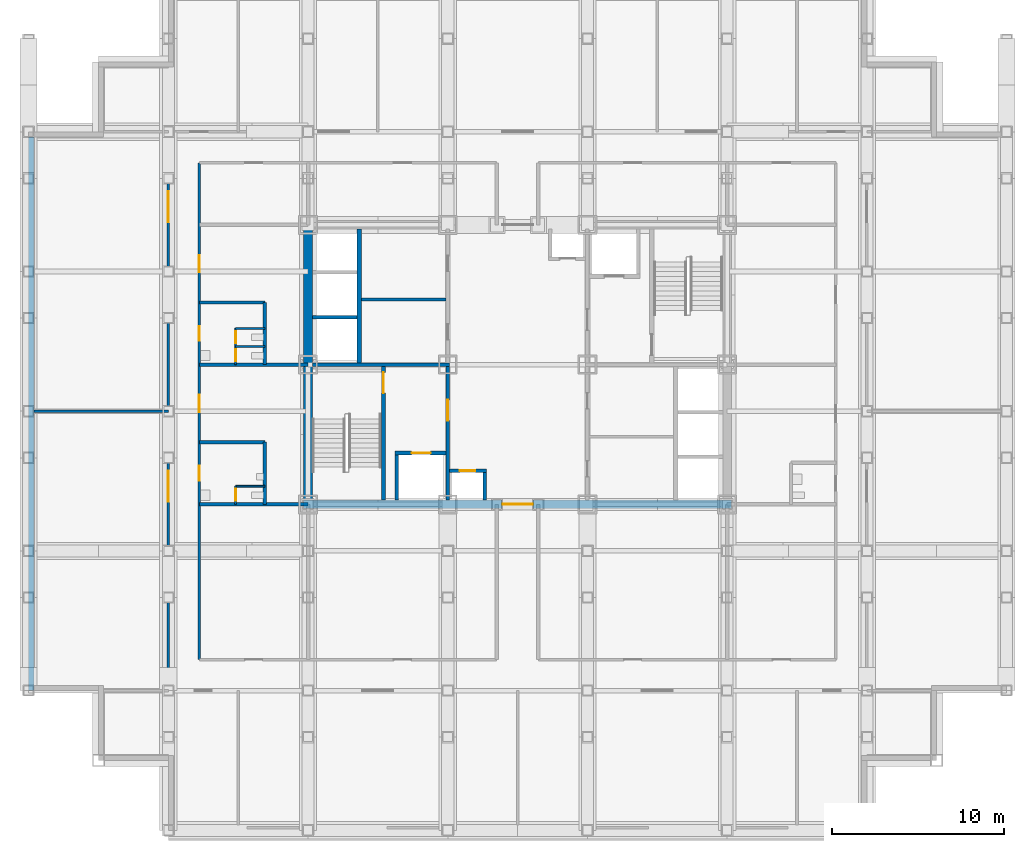
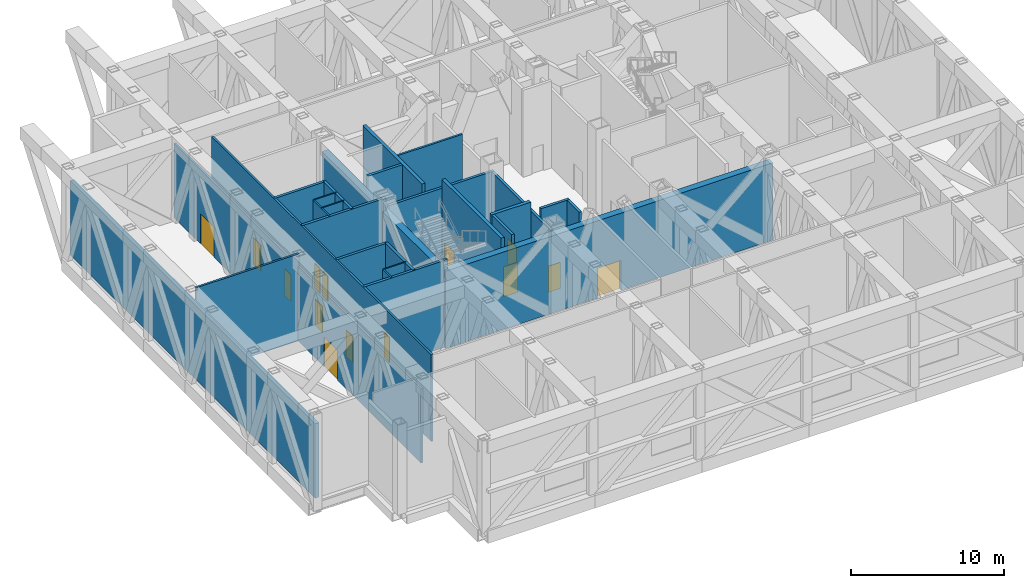
# One storey, part 8 of 13: 27 walls, 14 doors, 14 openings.
"""IFC4 building model written with IfcOpenShell, lengths in metres."""

import ifcopenshell
import ifcopenshell.guid

model = None  # the IFC model being written
_history = None  # IfcOwnerHistory: only IFC2X3 demands one
_inside = {}  # id of a spatial element -> (the spatial element, [elements in it])
_under = {}  # id of a project, library or spatial element -> (it, [spatial elements below it])
_declared = {}  # id of a project -> (the project, [libraries it declares])
_typed = {}  # id of a type object -> (the type object, [elements of that type])
_made_of = {}  # id of a material, layer set ... -> (it, [elements and type objects made of it])


def new_model(schema):
    """Start an empty IFC model of exactly this schema.

    Asked for "IFC4X3", IfcOpenShell would pick the latest addendum, in which some entities
    have other attributes; the version numbers below select the first issue.
    IFC2X3 requires an IfcOwnerHistory on every rooted entity: one is made here for all.
    """
    global model, _history
    if schema == "IFC4X3":
        model = ifcopenshell.file(schema_version=(4, 3, 0, 0))
    else:
        model = ifcopenshell.file(schema=schema)
    _inside.clear()
    _under.clear()
    _declared.clear()
    _typed.clear()
    _made_of.clear()
    _history = None
    if model.schema == "IFC2X3":
        org = make("IfcOrganization", Name="unknown")
        user = make(
            "IfcPersonAndOrganization",
            ThePerson=make("IfcPerson", FamilyName="unknown"),
            TheOrganization=org,
        )
        app = make(
            "IfcApplication",
            ApplicationDeveloper=org,
            Version="unknown",
            ApplicationFullName="unknown",
            ApplicationIdentifier="unknown",
        )
        _history = make(
            "IfcOwnerHistory",
            OwningUser=user,
            OwningApplication=app,
            ChangeAction="ADDED",
            CreationDate=0,
        )
    return model


def make(cls, **values):
    """One entity of the class cls with the attributes given. An attribute that is None is left unset."""
    return model.create_entity(
        cls, **{name: value for name, value in values.items() if value is not None}
    )


def rooted(cls, **values):
    """An entity with a GlobalId (a new one), such as an element, a storey or a relation."""
    return make(cls, GlobalId=ifcopenshell.guid.new(), OwnerHistory=_history, **values)


def si_unit(unit_type, name, prefix=None):
    """IfcSIUnit, for example si_unit("LENGTHUNIT", "METRE", prefix="MILLI")."""
    return make("IfcSIUnit", UnitType=unit_type, Prefix=prefix, Name=name)


def assignment(units):
    """IfcUnitAssignment: the units of a project."""
    return None if units is None else make("IfcUnitAssignment", Units=units)


def point(xyz):
    """IfcCartesianPoint."""
    return None if xyz is None else make("IfcCartesianPoint", Coordinates=xyz)


def direction(xyz):
    """IfcDirection."""
    return None if xyz is None else make("IfcDirection", DirectionRatios=xyz)


def frame(location, z_axis=None, x_axis=None):
    """IfcAxis2Placement3D, a coordinate frame: its origin and axes. An axis left out is left unset."""
    return make(
        "IfcAxis2Placement3D",
        Location=point(location),
        Axis=direction(z_axis),
        RefDirection=direction(x_axis),
    )


def frame_2d(location, x_axis=None):
    """IfcAxis2Placement2D, a coordinate frame in the plane: its origin and x axis."""
    return make(
        "IfcAxis2Placement2D", Location=point(location), RefDirection=direction(x_axis)
    )


def origin():
    """The frame at (0, 0, 0) with its axes left unset."""
    return frame((0.0, 0.0, 0.0))


def place(relative_to, where):
    """IfcLocalPlacement: puts the frame where relative to a parent placement (None: the world)."""
    return make(
        "IfcLocalPlacement", PlacementRelTo=relative_to, RelativePlacement=where
    )


def context(
    kind, dimensions, precision=None, world=None, true_north=None, identifier=None
):
    """IfcGeometricRepresentationContext, for example the 3D "Model" context."""
    return make(
        "IfcGeometricRepresentationContext",
        ContextIdentifier=identifier,
        ContextType=kind,
        CoordinateSpaceDimension=dimensions,
        Precision=precision,
        WorldCoordinateSystem=world,
        TrueNorth=true_north,
    )


def subcontext(parent, identifier, kind, view, scale=None):
    """IfcGeometricRepresentationSubContext, for example "Body" below "Model"."""
    return make(
        "IfcGeometricRepresentationSubContext",
        ContextIdentifier=identifier,
        ContextType=kind,
        ParentContext=parent,
        TargetScale=scale,
        TargetView=view,
    )


def project(units=None, contexts=None):
    """IfcProject with its units and contexts."""
    return rooted(
        "IfcProject",
        Name="project",
        RepresentationContexts=contexts,
        UnitsInContext=assignment(units),
    )


def spatial(cls, under=None, at=None, **own):
    """A site, building, storey or space (cls), placed at a placement, below another one or the project."""
    s = rooted(cls, ObjectPlacement=at, **own)
    if under is not None:
        _under.setdefault(under.id(), (under, []))[1].append(s)
    return s


def profile(cls, at=None, kind="AREA", **sizes):
    """A parametric profile (cls). Its sizes go by their IFC names, for example OverallWidth=200.0."""
    return make(cls, ProfileType=kind, Position=at, **sizes)


def rectangle(**sizes):
    """IfcRectangleProfileDef."""
    return profile("IfcRectangleProfileDef", **sizes)


def extrude(swept, where, along, depth):
    """IfcExtrudedAreaSolid: the profile swept, set in the frame where, extruded along a direction by depth."""
    return make(
        "IfcExtrudedAreaSolid",
        SweptArea=swept,
        Position=where,
        ExtrudedDirection=direction(along),
        Depth=depth,
    )


def shape(context_of_items, identifier, shape_type, items):
    """IfcShapeRepresentation: the items that make up one representation, for example the "Body"."""
    return make(
        "IfcShapeRepresentation",
        ContextOfItems=context_of_items,
        RepresentationIdentifier=identifier,
        RepresentationType=shape_type,
        Items=items,
    )


def material(Name=None, Category=None):
    """IfcMaterial."""
    return make("IfcMaterial", Name=Name, Category=Category)


def layer(
    of_material, thickness, ventilated=None, Name=None, Category=None, Priority=None
):
    """IfcMaterialLayer: one layer of a wall or slab, of a material (None: an air gap)."""
    return make(
        "IfcMaterialLayer",
        Material=of_material,
        LayerThickness=thickness,
        IsVentilated=ventilated,
        Name=Name,
        Category=Category,
        Priority=Priority,
    )


def layer_set(layers, Name=None):
    """IfcMaterialLayerSet."""
    return make("IfcMaterialLayerSet", MaterialLayers=layers, LayerSetName=Name)


def made_of(thing, what):
    """Note that an element or type object is made of a material, layer set ...; save() writes the relation."""
    if what is not None:
        _made_of.setdefault(what.id(), (what, []))[1].append(thing)
    return thing


def type_object(cls, material=None, **own):
    """A type object (cls), such as IfcWallType, which elements share."""
    return made_of(rooted(cls, **own), material)


def element(
    cls,
    number,
    at=None,
    inside=None,
    cuts=None,
    type_object=None,
    material=None,
    context=None,
    identifier="Body",
    shape_type=None,
    held_by="IfcProductDefinitionShape",
    body=None,
    shapes=None,
    **own,
):
    """One element of the class cls, such as IfcWall. Its Tag is "e" and its number.

    at: its placement. inside: the storey or other place that contains it. cuts: it is an
    opening in that element (IfcRelVoidsElement). A single representation is given by context,
    identifier, shape_type and body (its items); several are given by shapes. held_by: the class
    of the entity that holds the representations. save() writes the other relations.
    """
    e = rooted(cls, Tag="e%d" % number, ObjectPlacement=at, **own)
    if body is not None:
        shapes = [shape(context, identifier, shape_type, body)]
    if shapes is not None:
        e.Representation = make(held_by, Representations=shapes)
    if inside is not None:
        _inside.setdefault(inside.id(), (inside, []))[1].append(e)
    if cuts is not None:
        rooted(
            "IfcRelVoidsElement", RelatingBuildingElement=cuts, RelatedOpeningElement=e
        )
    if type_object is not None:
        _typed.setdefault(type_object.id(), (type_object, []))[1].append(e)
    return made_of(e, material)


def fill(opening, filler):
    """IfcRelFillsElement: the door or window that sits in an opening."""
    return rooted(
        "IfcRelFillsElement",
        RelatingOpeningElement=opening,
        RelatedBuildingElement=filler,
    )


def aggregate(whole, parts):
    """IfcRelAggregates: a whole, such as a stair, and the parts it consists of."""
    return rooted("IfcRelAggregates", RelatingObject=whole, RelatedObjects=parts)


def save(model, path):
    """Write the relations noted so far, then the file.

    IfcRelAggregates (storeys below a building ...), IfcRelContainedInSpatialStructure (elements
    in a storey), IfcRelDefinesByType, IfcRelAssociatesMaterial and IfcRelDeclares: one each for
    every whole, place, type object, material and project.
    """
    for whole, parts in _under.values():
        aggregate(whole, parts)
    for where, things in _inside.values():
        rooted(
            "IfcRelContainedInSpatialStructure",
            RelatedElements=things,
            RelatingStructure=where,
        )
    for kind, things in _typed.values():
        rooted("IfcRelDefinesByType", RelatedObjects=things, RelatingType=kind)
    for what, things in _made_of.values():
        rooted("IfcRelAssociatesMaterial", RelatedObjects=things, RelatingMaterial=what)
    for by, libraries in _declared.values():
        rooted("IfcRelDeclares", RelatingContext=by, RelatedDefinitions=libraries)
    model.write(path)


model = new_model("IFC4")

# Units and contexts
model_context = context("Model", 3, precision=1e-05, world=origin(), true_north=direction((0.0, 1.0)))
body_context = subcontext(model_context, "Body", "Model", "MODEL_VIEW")
ifc_project = project(units=[si_unit("LENGTHUNIT", "METRE"), si_unit("AREAUNIT", "SQUARE_METRE"), si_unit("VOLUMEUNIT", "CUBIC_METRE"), si_unit("PLANEANGLEUNIT", "RADIAN"), si_unit("MASSUNIT", "GRAM", prefix="KILO")], contexts=[model_context])

# Site, building, storey
site_placement = place(None, origin())
site = spatial("IfcSite", under=ifc_project, at=site_placement, CompositionType="ELEMENT")
building_placement = place(site_placement, origin())
building = spatial("IfcBuilding", under=site, at=building_placement, Name="Kopane Lantern Tower", CompositionType="ELEMENT")
storey_placement = place(building_placement, frame((0.0, 0.0, 157.800048828125)))
storey = spatial("IfcBuildingStorey", under=building, at=storey_placement, Name="L41", CompositionType="ELEMENT", Elevation=157.800048828125)

# Wall, opening, door
ifc_material_1 = material(Name="Moisture-resistant board on steel studs", Category="steel")
ifc_layer_1 = layer(ifc_material_1, 0.10009765625)
ifc_layer_set_1 = layer_set([ifc_layer_1], Name="BATHROOM WALL 100")
wall_type_1 = type_object("IfcWallType", Name="BATHROOM WALL 100", PredefinedType="PARTITIONING", material=ifc_layer_set_1)
wall_1_placement = place(storey_placement, frame((12.0, 24.300048828125, 0.0), z_axis=(0.0, 0.0, 1.0), x_axis=(0.0, 1.0, 0.0)))
wall_1 = element("IfcWall", 1, at=wall_1_placement, inside=storey, type_object=wall_type_1, Name="Bathroom Wall 100 L41", PredefinedType="PARTITIONING", context=body_context, shape_type="SweptSolid", body=[
    extrude(rectangle(XDim=1.050048828125, YDim=0.10009765625, at=frame_2d((0.52490234375, 0.0))), origin(), (0.0, 0.0, 1.0), 6.949951171875),
])
opening_1_placement = place(wall_1_placement, frame((0.199951171875, 0.0, 0.0)))
opening_1 = element("IfcOpeningElement", 2, at=opening_1_placement, cuts=wall_1, Name="Opening L41-029", PredefinedType="OPENING", context=body_context, shape_type="SweptSolid", body=[
    extrude(rectangle(XDim=0.699951171875, YDim=2.0, at=frame_2d((0.35009765625, 1.0))), frame((0.0, 0.06005859375, 0.0), z_axis=(0.0, -1.0, 0.0), x_axis=(1.0, 0.0, 0.0)), (0.0, 0.0, 1.0), 0.1201171875),
])
ifc_material_2 = material(Name="Timber door set", Category="wood")
door_type_1 = type_object("IfcDoorType", Name="DOOR D13 700x2000 WC CUBICLE", OperationType="SINGLE_SWING_LEFT", PredefinedType="DOOR", material=ifc_material_2)
door_1_placement = place(opening_1_placement, origin())
door_1 = element("IfcDoor", 3, at=door_1_placement, inside=storey, type_object=door_type_1, Name="Door L41-029", OperationType="SINGLE_SWING_LEFT", OverallHeight=2.0, OverallWidth=0.699951171875, PredefinedType="DOOR", context=body_context, shape_type="SweptSolid", body=[
    extrude(rectangle(XDim=0.699951171875, YDim=2.0, at=frame_2d((0.35009765625, 1.0))), frame((0.0, 0.02490234375, 0.0), z_axis=(0.0, -1.0, 0.0), x_axis=(1.0, 0.0, 0.0)), (0.0, 0.0, 1.0), 0.050048828125),
])
fill(opening_1, door_1)

# Wall
wall_2_placement = place(storey_placement, frame((12.0, 25.35009765625, 0.0), z_axis=(0.0, 0.0, 1.0), x_axis=(1.0, 0.0, 0.0)))
element("IfcWall", 4, at=wall_2_placement, inside=storey, type_object=wall_type_1, Name="Bathroom Wall 100 L41", PredefinedType="PARTITIONING", context=body_context, shape_type="SweptSolid", body=[
    extrude(rectangle(XDim=1.699951171875, YDim=0.10009765625, at=frame_2d((0.85009765625, 0.0))), origin(), (0.0, 0.0, 1.0), 6.949951171875),
])

# Wall, openings, doors
wall_3_placement = place(storey_placement, frame((12.0, 32.39990234375, 0.0), z_axis=(0.0, 0.0, 1.0), x_axis=(0.0, 1.0, 0.0)))
wall_3 = element("IfcWall", 5, at=wall_3_placement, inside=storey, type_object=wall_type_1, Name="Bathroom Wall 100 L41", PredefinedType="PARTITIONING", context=body_context, shape_type="SweptSolid", body=[
    extrude(rectangle(XDim=2.10009765625, YDim=0.10009765625, at=frame_2d((1.050048828125, 0.0))), origin(), (0.0, 0.0, 1.0), 6.949951171875),
])
opening_2_placement = place(wall_3_placement, frame((0.199951171875, 0.0, 0.0)))
opening_2 = element("IfcOpeningElement", 6, at=opening_2_placement, cuts=wall_3, Name="Opening L41-030", PredefinedType="OPENING", context=body_context, shape_type="SweptSolid", body=[
    extrude(rectangle(XDim=0.699951171875, YDim=2.0, at=frame_2d((0.35009765625, 1.0))), frame((0.0, 0.06005859375, 0.0), z_axis=(0.0, -1.0, 0.0), x_axis=(1.0, 0.0, 0.0)), (0.0, 0.0, 1.0), 0.1201171875),
])
opening_3_placement = place(wall_3_placement, frame((1.22509765625, 0.0, 0.0)))
opening_3 = element("IfcOpeningElement", 7, at=opening_3_placement, cuts=wall_3, Name="Opening L41-031", PredefinedType="OPENING", context=body_context, shape_type="SweptSolid", body=[
    extrude(rectangle(XDim=0.699951171875, YDim=2.0, at=frame_2d((0.35009765625, 1.0))), frame((0.0, 0.06005859375, 0.0), z_axis=(0.0, -1.0, 0.0), x_axis=(1.0, 0.0, 0.0)), (0.0, 0.0, 1.0), 0.1201171875),
])
door_2_placement = place(opening_2_placement, origin())
door_2 = element("IfcDoor", 8, at=door_2_placement, inside=storey, type_object=door_type_1, Name="Door L41-030", OperationType="SINGLE_SWING_LEFT", OverallHeight=2.0, OverallWidth=0.699951171875, PredefinedType="DOOR", context=body_context, shape_type="SweptSolid", body=[
    extrude(rectangle(XDim=0.699951171875, YDim=2.0, at=frame_2d((0.35009765625, 1.0))), frame((0.0, 0.02490234375, 0.0), z_axis=(0.0, -1.0, 0.0), x_axis=(1.0, 0.0, 0.0)), (0.0, 0.0, 1.0), 0.050048828125),
])
fill(opening_2, door_2)
door_3_placement = place(opening_3_placement, origin())
door_3 = element("IfcDoor", 9, at=door_3_placement, inside=storey, type_object=door_type_1, Name="Door L41-031", OperationType="SINGLE_SWING_RIGHT", OverallHeight=2.0, OverallWidth=0.699951171875, PredefinedType="DOOR", context=body_context, shape_type="SweptSolid", body=[
    extrude(rectangle(XDim=0.699951171875, YDim=2.0, at=frame_2d((0.35009765625, 1.0))), frame((0.0, 0.02490234375, 0.0), z_axis=(0.0, -1.0, 0.0), x_axis=(1.0, 0.0, 0.0)), (0.0, 0.0, 1.0), 0.050048828125),
])
fill(opening_3, door_3)

# Walls
for number, where, z_axis, x_axis, name in (
    (10, (12.0, 33.449951171875, 0.0), (0.0, 0.0, 1.0), (1.0, 0.0, 0.0), "Bathroom Wall 100 L41"),
    (11, (12.0, 34.5, 0.0), (0.0, 0.0, 1.0), (1.0, 0.0, 0.0), "Bathroom Wall 100 L41"),
):
    element("IfcWall", number, at=place(storey_placement, frame(where, z_axis=z_axis, x_axis=x_axis)), inside=storey, type_object=wall_type_1, Name=name, PredefinedType="PARTITIONING", context=body_context, shape_type="SweptSolid", body=[
        extrude(rectangle(XDim=1.699951171875, YDim=0.10009765625, at=frame_2d((0.85009765625, 0.0))), origin(), (0.0, 0.0, 1.0), 6.949951171875),
    ])

# Wall, opening, door
ifc_material_3 = material(Name="Gypsum shaft wall EI 120", Category="gypsum")
ifc_layer_2 = layer(ifc_material_3, 0.5)
ifc_layer_set_2 = layer_set([ifc_layer_2], Name="CORE PERIMETER WALL 500 EI 120")
wall_type_2 = type_object("IfcWallType", Name="CORE PERIMETER WALL 500 EI 120", PredefinedType="SOLIDWALL", material=ifc_layer_set_2)
wall_4_placement = place(storey_placement, frame((15.949951171875, 24.300048828125, 0.0), z_axis=(0.0, 0.0, 1.0), x_axis=(1.0, 0.0, 0.0)))
wall_4 = element("IfcWall", 12, at=wall_4_placement, inside=storey, type_object=wall_type_2, Name="Core shaft wall L41 PS", PredefinedType="SOLIDWALL", context=body_context, shape_type="SweptSolid", body=[
    extrude(rectangle(XDim=24.800048828125, YDim=0.5, at=frame_2d((12.39990234375, 0.0))), origin(), (0.0, 0.0, 1.0), 6.18017578125),
])
opening_4_placement = place(wall_4_placement, frame((11.5, 0.0, 0.0)))
opening_4 = element("IfcOpeningElement", 13, at=opening_4_placement, cuts=wall_4, Name="Opening 41.CE-S", PredefinedType="OPENING", context=body_context, shape_type="SweptSolid", body=[
    extrude(rectangle(XDim=1.800048828125, YDim=2.39990234375, at=frame_2d((0.89990234375, 1.199951171875))), frame((0.0, 0.260009765625, 0.0), z_axis=(0.0, -1.0, 0.0), x_axis=(1.0, 0.0, 0.0)), (0.0, 0.0, 1.0), 0.52001953125),
])
ifc_material_4 = material(Name="Steel door set", Category="steel")
door_type_2 = type_object("IfcDoorType", Name="CORE ENTRY DOOR 1800x2400 FD60S", OperationType="DOUBLE_DOOR_SINGLE_SWING", PredefinedType="DOOR", material=ifc_material_4)
door_4_placement = place(opening_4_placement, origin())
door_4 = element("IfcDoor", 14, at=door_4_placement, inside=storey, type_object=door_type_2, Name="Core entry door L41 south", OperationType="DOUBLE_DOOR_SINGLE_SWING", OverallHeight=2.39990234375, OverallWidth=1.800048828125, PredefinedType="DOOR", context=body_context, shape_type="SweptSolid", body=[
    extrude(rectangle(XDim=1.800048828125, YDim=2.39990234375, at=frame_2d((0.89990234375, 1.199951171875))), frame((0.0, 0.02490234375, 0.0), z_axis=(0.0, -1.0, 0.0), x_axis=(1.0, 0.0, 0.0)), (0.0, 0.0, 1.0), 0.050048828125),
])
fill(opening_4, door_4)

# Walls
wall_5_placement = place(storey_placement, frame((16.199951171875, 24.550048828125, 0.0), z_axis=(0.0, 0.0, 1.0), x_axis=(0.0, 1.0, 0.0)))
element("IfcWall", 15, at=wall_5_placement, inside=storey, type_object=wall_type_2, Name="Core shaft wall L41 PW", PredefinedType="SOLIDWALL", context=body_context, shape_type="SweptSolid", body=[
    extrude(rectangle(XDim=15.699951171875, YDim=0.5, at=frame_2d((7.85009765625, 0.0))), origin(), (0.0, 0.0, 1.0), 5.949951171875),
])
ifc_material_5 = material(Name="Gypsum partition EI 60", Category="gypsum")
ifc_layer_3 = layer(ifc_material_5, 0.14990234375)
ifc_layer_set_3 = layer_set([ifc_layer_3], Name="CORE ROOM PARTITION 150 EI 60")
wall_type_3 = type_object("IfcWallType", Name="CORE ROOM PARTITION 150 EI 60", PredefinedType="PARTITIONING", material=ifc_layer_set_3)
wall_6_placement = place(storey_placement, frame((19.300048828125, 36.175048828125, 0.0), z_axis=(0.0, 0.0, 1.0), x_axis=(1.0, 0.0, 0.0)))
element("IfcWall", 16, at=wall_6_placement, inside=storey, type_object=wall_type_3, Name="Core room partition L41 WL1", PredefinedType="PARTITIONING", context=body_context, shape_type="SweptSolid", body=[
    extrude(rectangle(XDim=4.89990234375, YDim=0.14990234375, at=frame_2d((2.449951171875, 0.0))), origin(), (0.0, 0.0, 1.0), 6.949951171875),
])

# Wall, opening, door
ifc_material_6 = material(Name="Gypsum shaft wall EI 120", Category="gypsum")
ifc_layer_4 = layer(ifc_material_6, 0.25)
ifc_layer_set_4 = layer_set([ifc_layer_4], Name="CORE SHAFT WALL 250 EI 120")
wall_type_4 = type_object("IfcWallType", Name="CORE SHAFT WALL 250 EI 120", PredefinedType="SOLIDWALL", material=ifc_layer_set_4)
wall_7_placement = place(storey_placement, frame((20.574951171875, 24.550048828125, 0.0), z_axis=(0.0, 0.0, 1.0), x_axis=(0.0, 1.0, 0.0)))
wall_7 = element("IfcWall", 17, at=wall_7_placement, inside=storey, type_object=wall_type_4, Name="Core shaft wall L41 XST1", PredefinedType="SOLIDWALL", context=body_context, shape_type="SweptSolid", body=[
    extrude(rectangle(XDim=7.75, YDim=0.25, at=frame_2d((3.875, 0.0))), origin(), (0.0, 0.0, 1.0), 6.949951171875),
])
opening_5_placement = place(wall_7_placement, frame((6.199951171875, 0.0, 0.0)))
opening_5 = element("IfcOpeningElement", 18, at=opening_5_placement, cuts=wall_7, Name="Opening 41.SD1", PredefinedType="OPENING", context=body_context, shape_type="SweptSolid", body=[
    extrude(rectangle(XDim=1.199951171875, YDim=2.10009765625, at=frame_2d((0.60009765625, 1.050048828125))), frame((0.0, 0.135009765625, 0.0), z_axis=(0.0, -1.0, 0.0), x_axis=(1.0, 0.0, 0.0)), (0.0, 0.0, 1.0), 0.27001953125),
])
ifc_material_7 = material(Name="Steel door set", Category="steel")
door_type_3 = type_object("IfcDoorType", Name="STAIR DOOR 1200x2100 FD60S", OperationType="SINGLE_SWING_LEFT", PredefinedType="DOOR", material=ifc_material_7)
door_5_placement = place(opening_5_placement, origin())
door_5 = element("IfcDoor", 19, at=door_5_placement, inside=storey, type_object=door_type_3, Name="Stair door ST1 L41", OperationType="SINGLE_SWING_LEFT", OverallHeight=2.10009765625, OverallWidth=1.199951171875, PredefinedType="DOOR", context=body_context, shape_type="SweptSolid", body=[
    extrude(rectangle(XDim=1.199951171875, YDim=2.10009765625, at=frame_2d((0.60009765625, 1.050048828125))), frame((0.0, 0.02490234375, 0.0), z_axis=(0.0, -1.0, 0.0), x_axis=(1.0, 0.0, 0.0)), (0.0, 0.0, 1.0), 0.050048828125),
])
fill(opening_5, door_5)

wall_8_placement = place(storey_placement, frame((21.25, 27.27490234375, 0.0), z_axis=(0.0, 0.0, 1.0), x_axis=(1.0, 0.0, 0.0)))
wall_8 = element("IfcWall", 20, at=wall_8_placement, inside=storey, type_object=wall_type_4, Name="Core shaft wall L41 YLF1", PredefinedType="SOLIDWALL", context=body_context, shape_type="SweptSolid", body=[
    extrude(rectangle(XDim=2.949951171875, YDim=0.25, at=frame_2d((1.47509765625, 0.0))), origin(), (0.0, 0.0, 1.0), 6.949951171875),
])
opening_6_placement = place(wall_8_placement, frame((0.949951171875, 0.0, 0.0)))
opening_6 = element("IfcOpeningElement", 21, at=opening_6_placement, cuts=wall_8, Name="Opening 41.LD-LF1", PredefinedType="OPENING", context=body_context, shape_type="SweptSolid", body=[
    extrude(rectangle(XDim=1.10009765625, YDim=2.39990234375, at=frame_2d((0.550048828125, 1.199951171875))), frame((0.0, 0.135009765625, 0.0), z_axis=(0.0, -1.0, 0.0), x_axis=(1.0, 0.0, 0.0)), (0.0, 0.0, 1.0), 0.27001953125),
])
ifc_material_8 = material(Name="Steel door set", Category="steel")
door_type_4 = type_object("IfcDoorType", Name="LIFT LANDING DOOR 1100x2400 FD60", OperationType="DOUBLE_DOOR_SLIDING", PredefinedType="DOOR", material=ifc_material_8)
door_6_placement = place(opening_6_placement, origin())
door_6 = element("IfcDoor", 22, at=door_6_placement, inside=storey, type_object=door_type_4, Name="Landing door LF1 L41", OperationType="DOUBLE_DOOR_SLIDING", OverallHeight=2.39990234375, OverallWidth=1.10009765625, PredefinedType="DOOR", context=body_context, shape_type="SweptSolid", body=[
    extrude(rectangle(XDim=1.10009765625, YDim=2.39990234375, at=frame_2d((0.550048828125, 1.199951171875))), frame((0.0, 0.02490234375, 0.0), z_axis=(0.0, -1.0, 0.0), x_axis=(1.0, 0.0, 0.0)), (0.0, 0.0, 1.0), 0.050048828125),
])
fill(opening_6, door_6)

# Wall
wall_9_placement = place(storey_placement, frame((19.175048828125, 32.5, 0.0), z_axis=(0.0, 0.0, 1.0), x_axis=(0.0, 1.0, 0.0)))
element("IfcWall", 23, at=wall_9_placement, inside=storey, type_object=wall_type_4, Name="Core shaft wall L41 XLH", PredefinedType="SOLIDWALL", context=body_context, shape_type="SweptSolid", body=[
    extrude(rectangle(XDim=7.75, YDim=0.25, at=frame_2d((3.875, 0.0))), origin(), (0.0, 0.0, 1.0), 6.949951171875),
])

# Wall, openings, doors
ifc_material_9 = material(Name="Gypsum board on steel studs", Category="steel")
ifc_layer_5 = layer(ifc_material_9, 0.14990234375)
ifc_layer_set_5 = layer_set([ifc_layer_5], Name="CORRIDOR WALL 150 EI 60")
wall_type_5 = type_object("IfcWallType", Name="CORRIDOR WALL 150 EI 60", PredefinedType="PARTITIONING", material=ifc_layer_set_5)
wall_10_placement = place(storey_placement, frame((8.10009765625, 13.5, 0.0), z_axis=(0.0, 0.0, 1.0), x_axis=(0.0, 1.0, 0.0)))
wall_10 = element("IfcWall", 24, at=wall_10_placement, inside=storey, type_object=wall_type_5, Name="Corridor Wall 150 Ei 60 L41", PredefinedType="PARTITIONING", context=body_context, shape_type="SweptSolid", body=[
    extrude(rectangle(XDim=32.39990234375, YDim=0.14990234375, at=frame_2d((16.199951171875, 0.0))), origin(), (0.0, 0.0, 1.0), 5.949951171875),
])
opening_7_placement = place(wall_10_placement, frame((10.949951171875, 0.0, 0.0)))
opening_7 = element("IfcOpeningElement", 25, at=opening_7_placement, cuts=wall_10, Name="Opening L41-021", PredefinedType="OPENING", context=body_context, shape_type="SweptSolid", body=[
    extrude(rectangle(XDim=1.800048828125, YDim=2.39990234375, at=frame_2d((0.89990234375, 1.199951171875))), frame((0.0, 0.0849609375, 0.0), z_axis=(0.0, -1.0, 0.0), x_axis=(1.0, 0.0, 0.0)), (0.0, 0.0, 1.0), 0.169921875),
])
opening_8_placement = place(wall_10_placement, frame((27.14990234375, 0.0, 0.0)))
opening_8 = element("IfcOpeningElement", 26, at=opening_8_placement, cuts=wall_10, Name="Opening L41-022", PredefinedType="OPENING", context=body_context, shape_type="SweptSolid", body=[
    extrude(rectangle(XDim=1.800048828125, YDim=2.39990234375, at=frame_2d((0.89990234375, 1.199951171875))), frame((0.0, 0.0849609375, 0.0), z_axis=(0.0, -1.0, 0.0), x_axis=(1.0, 0.0, 0.0)), (0.0, 0.0, 1.0), 0.169921875),
])
ifc_material_10 = material(Name="Steel door set", Category="steel")
door_type_5 = type_object("IfcDoorType", Name="DOOR D8 1800x2400 FD120", OperationType="SINGLE_SWING_LEFT", PredefinedType="DOOR", material=ifc_material_10)
door_7_placement = place(opening_7_placement, origin())
door_7 = element("IfcDoor", 27, at=door_7_placement, inside=storey, type_object=door_type_5, Name="Door L41-021", OperationType="DOUBLE_DOOR_SINGLE_SWING", OverallHeight=2.39990234375, OverallWidth=1.800048828125, PredefinedType="DOOR", context=body_context, shape_type="SweptSolid", body=[
    extrude(rectangle(XDim=1.800048828125, YDim=2.39990234375, at=frame_2d((0.89990234375, 1.199951171875))), frame((0.0, 0.02490234375, 0.0), z_axis=(0.0, -1.0, 0.0), x_axis=(1.0, 0.0, 0.0)), (0.0, 0.0, 1.0), 0.050048828125),
])
fill(opening_7, door_7)
door_8_placement = place(opening_8_placement, origin())
door_8 = element("IfcDoor", 28, at=door_8_placement, inside=storey, type_object=door_type_5, Name="Door L41-022", OperationType="DOUBLE_DOOR_SINGLE_SWING", OverallHeight=2.39990234375, OverallWidth=1.800048828125, PredefinedType="DOOR", context=body_context, shape_type="SweptSolid", body=[
    extrude(rectangle(XDim=1.800048828125, YDim=2.39990234375, at=frame_2d((0.89990234375, 1.199951171875))), frame((0.0, 0.02490234375, 0.0), z_axis=(0.0, -1.0, 0.0), x_axis=(1.0, 0.0, 0.0)), (0.0, 0.0, 1.0), 0.050048828125),
])
fill(opening_8, door_8)

wall_11_placement = place(storey_placement, frame((9.89990234375, 44.10009765625, 0.0), z_axis=(0.0, 0.0, 1.0), x_axis=(0.0, -1.0, 0.0)))
wall_11 = element("IfcWall", 29, at=wall_11_placement, inside=storey, type_object=wall_type_5, Name="Corridor Wall 150 Ei 60 L41", PredefinedType="PARTITIONING", context=body_context, shape_type="SweptSolid", body=[
    extrude(rectangle(XDim=28.800048828125, YDim=0.14990234375, at=frame_2d((14.39990234375, 0.0))), origin(), (0.0, 0.0, 1.0), 6.949951171875),
])
opening_9_placement = place(wall_11_placement, frame((17.574951171875, 0.0, 0.0)))
opening_9 = element("IfcOpeningElement", 30, at=opening_9_placement, cuts=wall_11, Name="Opening L41-001", PredefinedType="OPENING", context=body_context, shape_type="SweptSolid", body=[
    extrude(rectangle(XDim=0.85009765625, YDim=2.10009765625, at=frame_2d((0.425048828125, 1.050048828125))), frame((0.0, 0.0849609375, 0.0), z_axis=(0.0, -1.0, 0.0), x_axis=(1.0, 0.0, 0.0)), (0.0, 0.0, 1.0), 0.169921875),
])
opening_10_placement = place(wall_11_placement, frame((13.449951171875, 0.0, 0.0)))
opening_10 = element("IfcOpeningElement", 31, at=opening_10_placement, cuts=wall_11, Name="Opening L41-002", PredefinedType="OPENING", context=body_context, shape_type="SweptSolid", body=[
    extrude(rectangle(XDim=1.0, YDim=2.10009765625, at=frame_2d((0.5, 1.050048828125))), frame((0.0, 0.0849609375, 0.0), z_axis=(0.0, -1.0, 0.0), x_axis=(1.0, 0.0, 0.0)), (0.0, 0.0, 1.0), 0.169921875),
])
opening_11_placement = place(wall_11_placement, frame((9.47509765625, 0.0, 0.0)))
opening_11 = element("IfcOpeningElement", 32, at=opening_11_placement, cuts=wall_11, Name="Opening L41-003", PredefinedType="OPENING", context=body_context, shape_type="SweptSolid", body=[
    extrude(rectangle(XDim=0.85009765625, YDim=2.10009765625, at=frame_2d((0.425048828125, 1.050048828125))), frame((0.0, 0.0849609375, 0.0), z_axis=(0.0, -1.0, 0.0), x_axis=(1.0, 0.0, 0.0)), (0.0, 0.0, 1.0), 0.169921875),
])
opening_12_placement = place(wall_11_placement, frame((5.35009765625, 0.0, 0.0)))
opening_12 = element("IfcOpeningElement", 33, at=opening_12_placement, cuts=wall_11, Name="Opening L41-004", PredefinedType="OPENING", context=body_context, shape_type="SweptSolid", body=[
    extrude(rectangle(XDim=1.0, YDim=2.10009765625, at=frame_2d((0.5, 1.050048828125))), frame((0.0, 0.0849609375, 0.0), z_axis=(0.0, -1.0, 0.0), x_axis=(1.0, 0.0, 0.0)), (0.0, 0.0, 1.0), 0.169921875),
])
ifc_material_11 = material(Name="Timber door set", Category="wood")
door_type_6 = type_object("IfcDoorType", Name="DOOR D4 850x2100", OperationType="SINGLE_SWING_LEFT", PredefinedType="DOOR", material=ifc_material_11)
door_9_placement = place(opening_9_placement, origin())
door_9 = element("IfcDoor", 34, at=door_9_placement, inside=storey, type_object=door_type_6, Name="Door L41-001", OperationType="SINGLE_SWING_RIGHT", OverallHeight=2.10009765625, OverallWidth=0.85009765625, PredefinedType="DOOR", context=body_context, shape_type="SweptSolid", body=[
    extrude(rectangle(XDim=0.85009765625, YDim=2.10009765625, at=frame_2d((0.425048828125, 1.050048828125))), frame((0.0, 0.02490234375, 0.0), z_axis=(0.0, -1.0, 0.0), x_axis=(1.0, 0.0, 0.0)), (0.0, 0.0, 1.0), 0.050048828125),
])
fill(opening_9, door_9)
door_10_placement = place(opening_11_placement, origin())
door_10 = element("IfcDoor", 35, at=door_10_placement, inside=storey, type_object=door_type_6, Name="Door L41-003", OperationType="SINGLE_SWING_RIGHT", OverallHeight=2.10009765625, OverallWidth=0.85009765625, PredefinedType="DOOR", context=body_context, shape_type="SweptSolid", body=[
    extrude(rectangle(XDim=0.85009765625, YDim=2.10009765625, at=frame_2d((0.425048828125, 1.050048828125))), frame((0.0, 0.02490234375, 0.0), z_axis=(0.0, -1.0, 0.0), x_axis=(1.0, 0.0, 0.0)), (0.0, 0.0, 1.0), 0.050048828125),
])
fill(opening_11, door_10)
ifc_material_12 = material(Name="Steel door set", Category="steel")
door_type_7 = type_object("IfcDoorType", Name="DOOR D5 1000x2100 FD60", OperationType="SINGLE_SWING_LEFT", PredefinedType="DOOR", material=ifc_material_12)
door_11_placement = place(opening_10_placement, origin())
door_11 = element("IfcDoor", 36, at=door_11_placement, inside=storey, type_object=door_type_7, Name="Door L41-002", OperationType="SINGLE_SWING_LEFT", OverallHeight=2.10009765625, OverallWidth=1.0, PredefinedType="DOOR", context=body_context, shape_type="SweptSolid", body=[
    extrude(rectangle(XDim=1.0, YDim=2.10009765625, at=frame_2d((0.5, 1.050048828125))), frame((0.0, 0.02490234375, 0.0), z_axis=(0.0, -1.0, 0.0), x_axis=(1.0, 0.0, 0.0)), (0.0, 0.0, 1.0), 0.050048828125),
])
fill(opening_10, door_11)
door_12_placement = place(opening_12_placement, origin())
door_12 = element("IfcDoor", 37, at=door_12_placement, inside=storey, type_object=door_type_7, Name="Door L41-004", OperationType="SINGLE_SWING_LEFT", OverallHeight=2.10009765625, OverallWidth=1.0, PredefinedType="DOOR", context=body_context, shape_type="SweptSolid", body=[
    extrude(rectangle(XDim=1.0, YDim=2.10009765625, at=frame_2d((0.5, 1.050048828125))), frame((0.0, 0.02490234375, 0.0), z_axis=(0.0, -1.0, 0.0), x_axis=(1.0, 0.0, 0.0)), (0.0, 0.0, 1.0), 0.050048828125),
])
fill(opening_12, door_12)

# Walls
ifc_material_13 = material(Name="Gypsum board on steel studs", Category="steel")
ifc_layer_6 = layer(ifc_material_13, 0.14990234375)
ifc_layer_set_6 = layer_set([ifc_layer_6], Name="DEMISING WALL 150 EI 60")
wall_type_6 = type_object("IfcWallType", Name="DEMISING WALL 150 EI 60", PredefinedType="PARTITIONING", material=ifc_layer_set_6)
wall_12_placement = place(storey_placement, frame((8.10009765625, 29.699951171875, 0.0), z_axis=(0.0, 0.0, 1.0), x_axis=(-1.0, 0.0, 0.0)))
element("IfcWall", 38, at=wall_12_placement, inside=storey, type_object=wall_type_6, Name="Demising Wall 150 Ei 60 L41", PredefinedType="PARTITIONING", context=body_context, shape_type="SweptSolid", body=[
    extrude(rectangle(XDim=7.800048828125, YDim=0.14990234375, at=frame_2d((3.89990234375, 0.0))), origin(), (0.0, 0.0, 1.0), 6.949951171875),
])
ifc_material_14 = material(Name="Terracotta rainscreen on light steel framing", Category="masonry")
ifc_layer_7 = layer(ifc_material_14, 0.300048828125)
ifc_layer_set_7 = layer_set([ifc_layer_7], Name="EXTERNAL WALL EW1 300 TERRACOTTA")
wall_type_7 = type_object("IfcWallType", Name="EXTERNAL WALL EW1 300 TERRACOTTA", PredefinedType="SOLIDWALL", material=ifc_layer_set_7)
wall_13_placement = place(storey_placement, frame((0.14990234375, 45.60009765625, 0.0), z_axis=(0.0, 0.0, 1.0), x_axis=(0.0, -1.0, 0.0)))
element("IfcWall", 39, at=wall_13_placement, inside=storey, type_object=wall_type_7, Name="External wall W L41", PredefinedType="SOLIDWALL", context=body_context, shape_type="SweptSolid", body=[
    extrude(rectangle(XDim=32.10009765625, YDim=0.300048828125, at=frame_2d((16.050048828125, 0.0))), origin(), (0.0, 0.0, 1.0), 5.949951171875),
])
ifc_material_15 = material(Name="Concrete masonry", Category="masonry")
ifc_layer_8 = layer(ifc_material_15, 0.199951171875)
ifc_layer_set_8 = layer_set([ifc_layer_8], Name="PLANT ROOM WALL 200 EI 120")
wall_type_8 = type_object("IfcWallType", Name="PLANT ROOM WALL 200 EI 120", PredefinedType="SOLIDWALL", material=ifc_layer_set_8)
wall_14_placement = place(storey_placement, frame((9.89990234375, 32.39990234375, 0.0), z_axis=(0.0, 0.0, 1.0), x_axis=(1.0, 0.0, 0.0)))
element("IfcWall", 40, at=wall_14_placement, inside=storey, type_object=wall_type_8, Name="Plant Room Wall 200 Ei 120 L41", PredefinedType="SOLIDWALL", context=body_context, shape_type="SweptSolid", body=[
    extrude(rectangle(XDim=6.300048828125, YDim=0.199951171875, at=frame_2d((3.14990234375, 0.0))), origin(), (0.0, 0.0, 1.0), 6.949951171875),
])
wall_15_placement = place(storey_placement, frame((9.89990234375, 27.89990234375, 0.0), z_axis=(0.0, 0.0, 1.0), x_axis=(1.0, 0.0, 0.0)))
element("IfcWall", 41, at=wall_15_placement, inside=storey, type_object=wall_type_8, Name="Plant Room Wall 200 Ei 120 L41", PredefinedType="SOLIDWALL", context=body_context, shape_type="SweptSolid", body=[
    extrude(rectangle(XDim=3.800048828125, YDim=0.199951171875, at=frame_2d((1.89990234375, 0.0))), origin(), (0.0, 0.0, 1.0), 6.949951171875),
])
wall_16_placement = place(storey_placement, frame((13.699951171875, 24.300048828125, 0.0), z_axis=(0.0, 0.0, 1.0), x_axis=(0.0, 1.0, 0.0)))
element("IfcWall", 42, at=wall_16_placement, inside=storey, type_object=wall_type_8, Name="Plant Room Wall 200 Ei 120 L41", PredefinedType="SOLIDWALL", context=body_context, shape_type="SweptSolid", body=[
    extrude(rectangle(XDim=3.599853515625, YDim=0.199951171875, at=frame_2d((1.7998046875, 0.0))), origin(), (0.0, 0.0, 1.0), 6.949951171875),
])
wall_17_placement = place(storey_placement, frame((9.89990234375, 36.0, 0.0), z_axis=(0.0, 0.0, 1.0), x_axis=(1.0, 0.0, 0.0)))
element("IfcWall", 43, at=wall_17_placement, inside=storey, type_object=wall_type_8, Name="Plant Room Wall 200 Ei 120 L41", PredefinedType="SOLIDWALL", context=body_context, shape_type="SweptSolid", body=[
    extrude(rectangle(XDim=3.800048828125, YDim=0.199951171875, at=frame_2d((1.89990234375, 0.0))), origin(), (0.0, 0.0, 1.0), 6.949951171875),
])
wall_18_placement = place(storey_placement, frame((13.699951171875, 32.39990234375, 0.0), z_axis=(0.0, 0.0, 1.0), x_axis=(0.0, 1.0, 0.0)))
element("IfcWall", 44, at=wall_18_placement, inside=storey, type_object=wall_type_8, Name="Plant Room Wall 200 Ei 120 L41", PredefinedType="SOLIDWALL", context=body_context, shape_type="SweptSolid", body=[
    extrude(rectangle(XDim=3.60009765625, YDim=0.199951171875, at=frame_2d((1.800048828125, 0.0))), origin(), (0.0, 0.0, 1.0), 6.949951171875),
])
wall_19_placement = place(storey_placement, frame((9.89990234375, 24.300048828125, 0.0), z_axis=(0.0, 0.0, 1.0), x_axis=(1.0, 0.0, 0.0)))
element("IfcWall", 45, at=wall_19_placement, inside=storey, type_object=wall_type_8, Name="Plant Room Wall 200 Ei 120 L41", PredefinedType="SOLIDWALL", context=body_context, shape_type="SweptSolid", body=[
    extrude(rectangle(XDim=6.300048828125, YDim=0.199951171875, at=frame_2d((3.14990234375, 0.0))), origin(), (0.0, 0.0, 1.0), 6.949951171875),
])
ifc_material_16 = material(Name="Gypsum shaft wall EI 120", Category="gypsum")
ifc_layer_9 = layer(ifc_material_16, 0.199951171875)
ifc_layer_set_9 = layer_set([ifc_layer_9], Name="SHAFT WALL 200 EI 120")
wall_type_9 = type_object("IfcWallType", Name="SHAFT WALL 200 EI 120", PredefinedType="SOLIDWALL", material=ifc_layer_set_9)
wall_20_placement = place(storey_placement, frame((16.449951171875, 32.39990234375, 0.0), z_axis=(0.0, 0.0, 1.0), x_axis=(1.0, 0.0, 0.0)))
element("IfcWall", 46, at=wall_20_placement, inside=storey, type_object=wall_type_9, Name="Core shaft wall L41 Y324W", PredefinedType="SOLIDWALL", context=body_context, shape_type="SweptSolid", body=[
    extrude(rectangle(XDim=7.949951171875, YDim=0.199951171875, at=frame_2d((3.97509765625, 0.0))), origin(), (0.0, 0.0, 1.0), 6.25),
])

# Wall, opening, door
wall_21_placement = place(storey_placement, frame((24.300048828125, 24.550048828125, 0.0), z_axis=(0.0, 0.0, 1.0), x_axis=(0.0, 1.0, 0.0)))
wall_21 = element("IfcWall", 47, at=wall_21_placement, inside=storey, type_object=wall_type_9, Name="Core shaft wall L41 X243", PredefinedType="SOLIDWALL", context=body_context, shape_type="SweptSolid", body=[
    extrude(rectangle(XDim=7.75, YDim=0.199951171875, at=frame_2d((3.875, 0.0))), origin(), (0.0, 0.0, 1.0), 6.25),
])
opening_13_placement = place(wall_21_placement, frame((4.60009765625, 0.0, 0.0)))
opening_13 = element("IfcOpeningElement", 48, at=opening_13_placement, cuts=wall_21, Name="Opening 41.FL1", PredefinedType="OPENING", context=body_context, shape_type="SweptSolid", body=[
    extrude(rectangle(XDim=1.199951171875, YDim=2.10009765625, at=frame_2d((0.60009765625, 1.050048828125))), frame((0.0, 0.10986328125, 0.0), z_axis=(0.0, -1.0, 0.0), x_axis=(1.0, 0.0, 0.0)), (0.0, 0.0, 1.0), 0.219970703125),
])
ifc_material_17 = material(Name="Steel door set", Category="steel")
door_type_8 = type_object("IfcDoorType", Name="FIREFIGHTING LOBBY DOOR 1200x2100 FD60S", OperationType="SINGLE_SWING_RIGHT", PredefinedType="DOOR", material=ifc_material_17)
door_13_placement = place(opening_13_placement, origin())
door_13 = element("IfcDoor", 49, at=door_13_placement, inside=storey, type_object=door_type_8, Name="Firefighting lobby door FL1 L41", OperationType="SINGLE_SWING_LEFT", OverallHeight=2.10009765625, OverallWidth=1.199951171875, PredefinedType="DOOR", context=body_context, shape_type="SweptSolid", body=[
    extrude(rectangle(XDim=1.199951171875, YDim=2.10009765625, at=frame_2d((0.60009765625, 1.050048828125))), frame((0.0, 0.02490234375, 0.0), z_axis=(0.0, -1.0, 0.0), x_axis=(1.0, 0.0, 0.0)), (0.0, 0.0, 1.0), 0.050048828125),
])
fill(opening_13, door_13)

# Walls
wall_22_placement = place(storey_placement, frame((21.35009765625, 24.550048828125, 0.0), z_axis=(0.0, 0.0, 1.0), x_axis=(0.0, 1.0, 0.0)))
element("IfcWall", 50, at=wall_22_placement, inside=storey, type_object=wall_type_9, Name="Core shaft wall L41 XLF1", PredefinedType="SOLIDWALL", context=body_context, shape_type="SweptSolid", body=[
    extrude(rectangle(XDim=2.599853515625, YDim=0.199951171875, at=frame_2d((1.2998046875, 0.0))), origin(), (0.0, 0.0, 1.0), 6.949951171875),
])
wall_23_placement = place(storey_placement, frame((16.449951171875, 35.14990234375, 0.0), z_axis=(0.0, 0.0, 1.0), x_axis=(1.0, 0.0, 0.0)))
element("IfcWall", 51, at=wall_23_placement, inside=storey, type_object=wall_type_9, Name="Core shaft wall L41 YLH12", PredefinedType="SOLIDWALL", context=body_context, shape_type="SweptSolid", body=[
    extrude(rectangle(XDim=2.60009765625, YDim=0.199951171875, at=frame_2d((1.300048828125, 0.0))), origin(), (0.0, 0.0, 1.0), 6.949951171875),
])
wall_24_placement = place(storey_placement, frame((26.449951171875, 24.550048828125, 0.0), z_axis=(0.0, 0.0, 1.0), x_axis=(0.0, 1.0, 0.0)))
element("IfcWall", 52, at=wall_24_placement, inside=storey, type_object=wall_type_9, Name="Core shaft wall L41 XRS1", PredefinedType="SOLIDWALL", context=body_context, shape_type="SweptSolid", body=[
    extrude(rectangle(XDim=1.599853515625, YDim=0.199951171875, at=frame_2d((0.7998046875, 0.0))), origin(), (0.0, 0.0, 1.0), 6.949951171875),
])

# Wall, opening, door
wall_25_placement = place(storey_placement, frame((24.39990234375, 26.25, 0.0), z_axis=(0.0, 0.0, 1.0), x_axis=(1.0, 0.0, 0.0)))
wall_25 = element("IfcWall", 53, at=wall_25_placement, inside=storey, type_object=wall_type_9, Name="Core shaft wall L41 YRS1", PredefinedType="SOLIDWALL", context=body_context, shape_type="SweptSolid", body=[
    extrude(rectangle(XDim=2.150146484375, YDim=0.199951171875, at=frame_2d((1.0751953125, 0.0))), origin(), (0.0, 0.0, 1.0), 6.949951171875),
])
opening_14_placement = place(wall_25_placement, frame((0.60009765625, 0.0, 0.0)))
opening_14 = element("IfcOpeningElement", 54, at=opening_14_placement, cuts=wall_25, Name="Opening 41.RS1", PredefinedType="OPENING", context=body_context, shape_type="SweptSolid", body=[
    extrude(rectangle(XDim=0.89990234375, YDim=2.10009765625, at=frame_2d((0.449951171875, 1.050048828125))), frame((0.0, 0.10986328125, 0.0), z_axis=(0.0, -1.0, 0.0), x_axis=(1.0, 0.0, 0.0)), (0.0, 0.0, 1.0), 0.219970703125),
])
ifc_material_18 = material(Name="Steel door set", Category="steel")
door_type_9 = type_object("IfcDoorType", Name="RISER ACCESS DOOR 900x2100 FD60", OperationType="SINGLE_SWING_LEFT", PredefinedType="DOOR", material=ifc_material_18)
door_14_placement = place(opening_14_placement, origin())
door_14 = element("IfcDoor", 55, at=door_14_placement, inside=storey, type_object=door_type_9, Name="Riser access door RS1 L41", OperationType="SINGLE_SWING_LEFT", OverallHeight=2.10009765625, OverallWidth=0.89990234375, PredefinedType="DOOR", context=body_context, shape_type="SweptSolid", body=[
    extrude(rectangle(XDim=0.89990234375, YDim=2.10009765625, at=frame_2d((0.449951171875, 1.050048828125))), frame((0.0, 0.02490234375, 0.0), z_axis=(0.0, -1.0, 0.0), x_axis=(1.0, 0.0, 0.0)), (0.0, 0.0, 1.0), 0.050048828125),
])
fill(opening_14, door_14)

save(model, "model.ifc")
